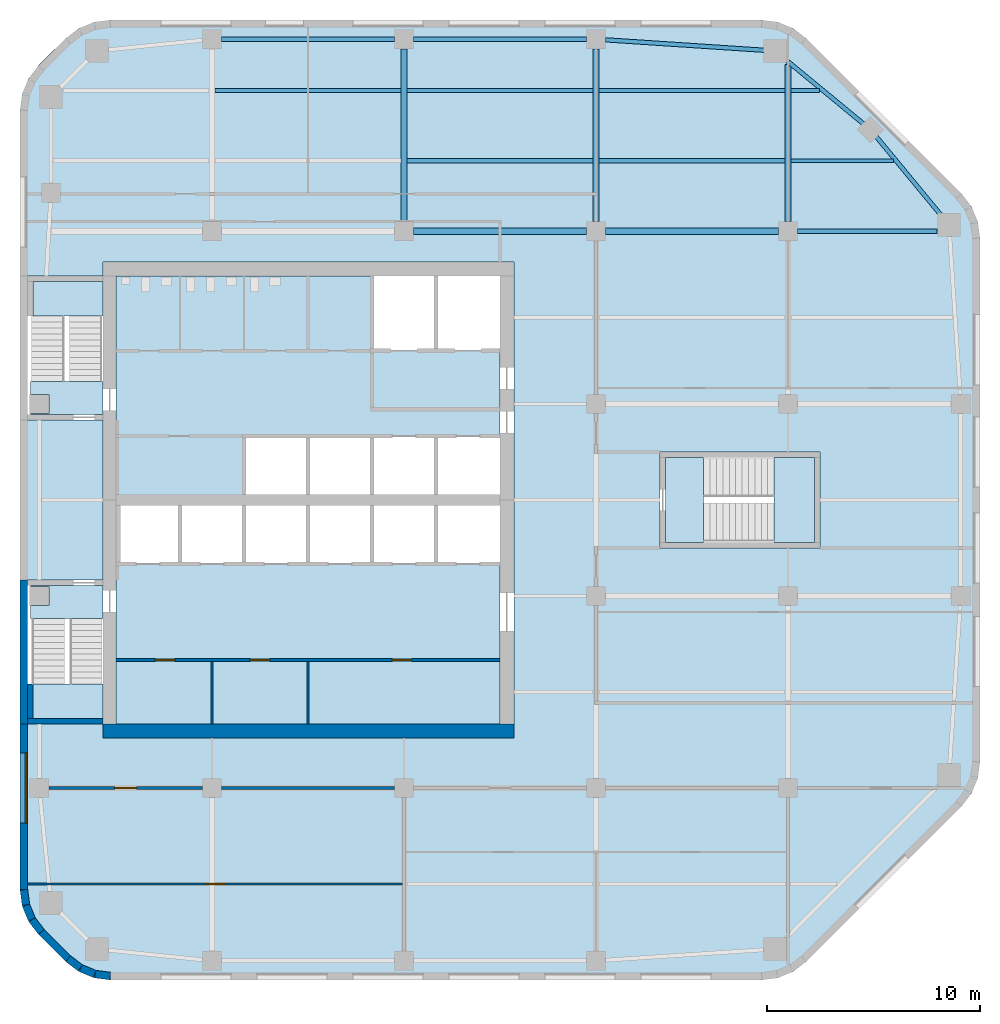
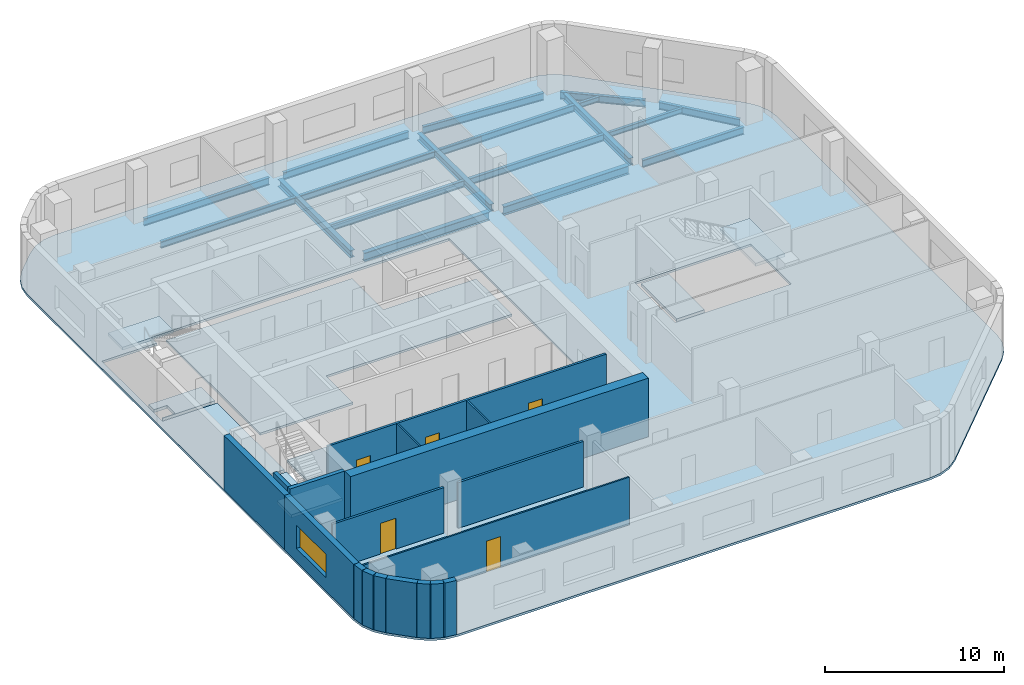
# One storey, part 2 of 8: 18 beams, 18 walls, 9 slabs, 5 doors, 1 window, 6 openings, 3 elements without a shape of their own.
"""IFC4 building model written with IfcOpenShell, lengths in metres."""

import ifcopenshell
import ifcopenshell.guid

model = None  # the IFC model being written
_history = None  # IfcOwnerHistory: only IFC2X3 demands one
_inside = {}  # id of a spatial element -> (the spatial element, [elements in it])
_under = {}  # id of a project, library or spatial element -> (it, [spatial elements below it])
_declared = {}  # id of a project -> (the project, [libraries it declares])
_typed = {}  # id of a type object -> (the type object, [elements of that type])
_made_of = {}  # id of a material, layer set ... -> (it, [elements and type objects made of it])


def new_model(schema):
    """Start an empty IFC model of exactly this schema.

    Asked for "IFC4X3", IfcOpenShell would pick the latest addendum, in which some entities
    have other attributes; the version numbers below select the first issue.
    IFC2X3 requires an IfcOwnerHistory on every rooted entity: one is made here for all.
    """
    global model, _history
    if schema == "IFC4X3":
        model = ifcopenshell.file(schema_version=(4, 3, 0, 0))
    else:
        model = ifcopenshell.file(schema=schema)
    _inside.clear()
    _under.clear()
    _declared.clear()
    _typed.clear()
    _made_of.clear()
    _history = None
    if model.schema == "IFC2X3":
        org = make("IfcOrganization", Name="unknown")
        user = make(
            "IfcPersonAndOrganization",
            ThePerson=make("IfcPerson", FamilyName="unknown"),
            TheOrganization=org,
        )
        app = make(
            "IfcApplication",
            ApplicationDeveloper=org,
            Version="unknown",
            ApplicationFullName="unknown",
            ApplicationIdentifier="unknown",
        )
        _history = make(
            "IfcOwnerHistory",
            OwningUser=user,
            OwningApplication=app,
            ChangeAction="ADDED",
            CreationDate=0,
        )
    return model


def make(cls, **values):
    """One entity of the class cls with the attributes given. An attribute that is None is left unset."""
    return model.create_entity(
        cls, **{name: value for name, value in values.items() if value is not None}
    )


def rooted(cls, **values):
    """An entity with a GlobalId (a new one), such as an element, a storey or a relation."""
    return make(cls, GlobalId=ifcopenshell.guid.new(), OwnerHistory=_history, **values)


def si_unit(unit_type, name, prefix=None):
    """IfcSIUnit, for example si_unit("LENGTHUNIT", "METRE", prefix="MILLI")."""
    return make("IfcSIUnit", UnitType=unit_type, Prefix=prefix, Name=name)


def assignment(units):
    """IfcUnitAssignment: the units of a project."""
    return None if units is None else make("IfcUnitAssignment", Units=units)


def point(xyz):
    """IfcCartesianPoint."""
    return None if xyz is None else make("IfcCartesianPoint", Coordinates=xyz)


def direction(xyz):
    """IfcDirection."""
    return None if xyz is None else make("IfcDirection", DirectionRatios=xyz)


def frame(location, z_axis=None, x_axis=None):
    """IfcAxis2Placement3D, a coordinate frame: its origin and axes. An axis left out is left unset."""
    return make(
        "IfcAxis2Placement3D",
        Location=point(location),
        Axis=direction(z_axis),
        RefDirection=direction(x_axis),
    )


def frame_2d(location, x_axis=None):
    """IfcAxis2Placement2D, a coordinate frame in the plane: its origin and x axis."""
    return make(
        "IfcAxis2Placement2D", Location=point(location), RefDirection=direction(x_axis)
    )


def origin():
    """The frame at (0, 0, 0) with its axes left unset."""
    return frame((0.0, 0.0, 0.0))


def origin_2d():
    """The frame at (0, 0) in the plane with its x axis left unset."""
    return frame_2d((0.0, 0.0))


def place(relative_to, where):
    """IfcLocalPlacement: puts the frame where relative to a parent placement (None: the world)."""
    return make(
        "IfcLocalPlacement", PlacementRelTo=relative_to, RelativePlacement=where
    )


def context(
    kind, dimensions, precision=None, world=None, true_north=None, identifier=None
):
    """IfcGeometricRepresentationContext, for example the 3D "Model" context."""
    return make(
        "IfcGeometricRepresentationContext",
        ContextIdentifier=identifier,
        ContextType=kind,
        CoordinateSpaceDimension=dimensions,
        Precision=precision,
        WorldCoordinateSystem=world,
        TrueNorth=true_north,
    )


def subcontext(parent, identifier, kind, view, scale=None):
    """IfcGeometricRepresentationSubContext, for example "Body" below "Model"."""
    return make(
        "IfcGeometricRepresentationSubContext",
        ContextIdentifier=identifier,
        ContextType=kind,
        ParentContext=parent,
        TargetScale=scale,
        TargetView=view,
    )


def project(units=None, contexts=None):
    """IfcProject with its units and contexts."""
    return rooted(
        "IfcProject",
        Name="project",
        RepresentationContexts=contexts,
        UnitsInContext=assignment(units),
    )


def spatial(cls, under=None, at=None, **own):
    """A site, building, storey or space (cls), placed at a placement, below another one or the project."""
    s = rooted(cls, ObjectPlacement=at, **own)
    if under is not None:
        _under.setdefault(under.id(), (under, []))[1].append(s)
    return s


def polyline(points):
    """IfcPolyline through the points."""
    return make("IfcPolyline", Points=[point(p) for p in points])


def profile(cls, at=None, kind="AREA", **sizes):
    """A parametric profile (cls). Its sizes go by their IFC names, for example OverallWidth=200.0."""
    return make(cls, ProfileType=kind, Position=at, **sizes)


def rectangle(**sizes):
    """IfcRectangleProfileDef."""
    return profile("IfcRectangleProfileDef", **sizes)


def i_section(**sizes):
    """IfcIShapeProfileDef."""
    return profile("IfcIShapeProfileDef", **sizes)


def outline(outer, holes=None, kind="AREA"):
    """IfcArbitraryClosedProfileDef: a profile drawn as a closed curve; with holes, ...WithVoids."""
    if holes is None:
        return make("IfcArbitraryClosedProfileDef", ProfileType=kind, OuterCurve=outer)
    return make(
        "IfcArbitraryProfileDefWithVoids",
        ProfileType=kind,
        OuterCurve=outer,
        InnerCurves=holes,
    )


def extrude(swept, where, along, depth):
    """IfcExtrudedAreaSolid: the profile swept, set in the frame where, extruded along a direction by depth."""
    return make(
        "IfcExtrudedAreaSolid",
        SweptArea=swept,
        Position=where,
        ExtrudedDirection=direction(along),
        Depth=depth,
    )


def shape(context_of_items, identifier, shape_type, items):
    """IfcShapeRepresentation: the items that make up one representation, for example the "Body"."""
    return make(
        "IfcShapeRepresentation",
        ContextOfItems=context_of_items,
        RepresentationIdentifier=identifier,
        RepresentationType=shape_type,
        Items=items,
    )


def material(Name=None, Category=None):
    """IfcMaterial."""
    return make("IfcMaterial", Name=Name, Category=Category)


def layer(
    of_material, thickness, ventilated=None, Name=None, Category=None, Priority=None
):
    """IfcMaterialLayer: one layer of a wall or slab, of a material (None: an air gap)."""
    return make(
        "IfcMaterialLayer",
        Material=of_material,
        LayerThickness=thickness,
        IsVentilated=ventilated,
        Name=Name,
        Category=Category,
        Priority=Priority,
    )


def layer_set(layers, Name=None):
    """IfcMaterialLayerSet."""
    return make("IfcMaterialLayerSet", MaterialLayers=layers, LayerSetName=Name)


def material_profile(
    of_material, cross_section, Name=None, Category=None, Priority=None
):
    """IfcMaterialProfile: a cross section and its material."""
    return make(
        "IfcMaterialProfile",
        Name=Name,
        Material=of_material,
        Profile=cross_section,
        Priority=Priority,
        Category=Category,
    )


def profile_set(profiles, Name=None, composite=None):
    """IfcMaterialProfileSet."""
    return make(
        "IfcMaterialProfileSet",
        Name=Name,
        MaterialProfiles=profiles,
        CompositeProfile=composite,
    )


def made_of(thing, what):
    """Note that an element or type object is made of a material, layer set ...; save() writes the relation."""
    if what is not None:
        _made_of.setdefault(what.id(), (what, []))[1].append(thing)
    return thing


def type_object(cls, material=None, **own):
    """A type object (cls), such as IfcWallType, which elements share."""
    return made_of(rooted(cls, **own), material)


def element(
    cls,
    number,
    at=None,
    inside=None,
    cuts=None,
    type_object=None,
    material=None,
    context=None,
    identifier="Body",
    shape_type=None,
    held_by="IfcProductDefinitionShape",
    body=None,
    shapes=None,
    **own,
):
    """One element of the class cls, such as IfcWall. Its Tag is "e" and its number.

    at: its placement. inside: the storey or other place that contains it. cuts: it is an
    opening in that element (IfcRelVoidsElement). A single representation is given by context,
    identifier, shape_type and body (its items); several are given by shapes. held_by: the class
    of the entity that holds the representations. save() writes the other relations.
    """
    e = rooted(cls, Tag="e%d" % number, ObjectPlacement=at, **own)
    if body is not None:
        shapes = [shape(context, identifier, shape_type, body)]
    if shapes is not None:
        e.Representation = make(held_by, Representations=shapes)
    if inside is not None:
        _inside.setdefault(inside.id(), (inside, []))[1].append(e)
    if cuts is not None:
        rooted(
            "IfcRelVoidsElement", RelatingBuildingElement=cuts, RelatedOpeningElement=e
        )
    if type_object is not None:
        _typed.setdefault(type_object.id(), (type_object, []))[1].append(e)
    return made_of(e, material)


def fill(opening, filler):
    """IfcRelFillsElement: the door or window that sits in an opening."""
    return rooted(
        "IfcRelFillsElement",
        RelatingOpeningElement=opening,
        RelatedBuildingElement=filler,
    )


def aggregate(whole, parts):
    """IfcRelAggregates: a whole, such as a stair, and the parts it consists of."""
    return rooted("IfcRelAggregates", RelatingObject=whole, RelatedObjects=parts)


def save(model, path):
    """Write the relations noted so far, then the file.

    IfcRelAggregates (storeys below a building ...), IfcRelContainedInSpatialStructure (elements
    in a storey), IfcRelDefinesByType, IfcRelAssociatesMaterial and IfcRelDeclares: one each for
    every whole, place, type object, material and project.
    """
    for whole, parts in _under.values():
        aggregate(whole, parts)
    for where, things in _inside.values():
        rooted(
            "IfcRelContainedInSpatialStructure",
            RelatedElements=things,
            RelatingStructure=where,
        )
    for kind, things in _typed.values():
        rooted("IfcRelDefinesByType", RelatedObjects=things, RelatingType=kind)
    for what, things in _made_of.values():
        rooted("IfcRelAssociatesMaterial", RelatedObjects=things, RelatingMaterial=what)
    for by, libraries in _declared.values():
        rooted("IfcRelDeclares", RelatingContext=by, RelatedDefinitions=libraries)
    model.write(path)


model = new_model("IFC4")

# Units and contexts
model_context = context("Model", 3, precision=1e-05, world=origin(), true_north=direction((0.0, 1.0)))
body_context = subcontext(model_context, "Body", "Model", "MODEL_VIEW")
ifc_project = project(units=[si_unit("LENGTHUNIT", "METRE"), si_unit("AREAUNIT", "SQUARE_METRE"), si_unit("VOLUMEUNIT", "CUBIC_METRE"), si_unit("PLANEANGLEUNIT", "RADIAN"), si_unit("MASSUNIT", "GRAM", prefix="KILO")], contexts=[model_context])

# Site, building, storey
site_placement = place(None, origin())
site = spatial("IfcSite", under=ifc_project, at=site_placement, CompositionType="ELEMENT")
building_placement = place(site_placement, origin())
building = spatial("IfcBuilding", under=site, at=building_placement, Name="Cinnabar Reach Civic Tower", CompositionType="ELEMENT")
storey_placement = place(building_placement, frame((0.0, 0.0, 189.0)))
storey = spatial("IfcBuildingStorey", under=building, at=storey_placement, Name="L45", CompositionType="ELEMENT", Elevation=189.0)

# Beams
ifc_material_1 = material(Name="Steel Q355B", Category="steel")
ifc_material_profile_1 = material_profile(ifc_material_1, i_section(OverallWidth=0.3, OverallDepth=0.488, WebThickness=0.011, FlangeThickness=0.018, FilletRadius=0.016, at=origin_2d()), Name="HM488x300x11x18")
ifc_profile_set_1 = profile_set([ifc_material_profile_1], Name="Steel Q355B")
beam_type_1 = type_object("IfcBeamType", Name="HM488x300x11x18 beam R 180", PredefinedType="BEAM", material=ifc_profile_set_1)
for number, where, z_axis, x_axis, name in (
    (1, (18.0, 44.552, -0.394), (0.0, 1.0, 0.0), (-1.0, 0.0, 0.0), "Girder T1 L45 6"),
    (2, (27.0, 44.552, -0.394), (0.0, 1.0, 0.0), (-1.0, 0.0, 0.0), "Girder T1 L45 11"),
):
    element("IfcBeam", number, at=place(storey_placement, frame(where, z_axis=z_axis, x_axis=x_axis)), inside=storey, type_object=beam_type_1, Name=name, PredefinedType="BEAM", context=body_context, shape_type="SweptSolid", body=[
        extrude(i_section(OverallWidth=0.3, OverallDepth=0.488, WebThickness=0.011, FlangeThickness=0.018, FilletRadius=0.016, at=origin_2d()), origin(), (0.0, 0.0, 1.0), 8.096),
    ])
beam_1_placement = place(storey_placement, frame((36.0, 44.552, -0.394), z_axis=(0.0, 1.0, 0.0), x_axis=(-1.0, 0.0, 0.0)))
element("IfcBeam", 3, at=beam_1_placement, inside=storey, type_object=beam_type_1, Name="Girder T1 L45 17", PredefinedType="BEAM", context=body_context, shape_type="SweptSolid", body=[
    extrude(i_section(OverallWidth=0.3, OverallDepth=0.488, WebThickness=0.011, FlangeThickness=0.018, FilletRadius=0.016, at=origin_2d()), origin(), (0.0, 0.0, 1.0), 7.3662),
])
ifc_material_profile_2 = material_profile(ifc_material_1, i_section(OverallWidth=0.3, OverallDepth=0.588, WebThickness=0.012, FlangeThickness=0.02, FilletRadius=0.016, at=origin_2d()), Name="HM588x300x12x20")
ifc_profile_set_2 = profile_set([ifc_material_profile_2], Name="Steel Q355B")
beam_type_2 = type_object("IfcBeamType", Name="HM588x300x12x20 beam R 180", PredefinedType="BEAM", material=ifc_profile_set_2)
for number, where, z_axis, x_axis, name in (
    (4, (18.452, 44.1, -0.444), (1.0, 0.0, 0.0), (0.0, 1.0, 0.0), "Girder T1 L45 14"),
    (5, (27.452, 44.1, -0.444), (1.0, 0.0, 0.0), (0.0, 1.0, 0.0), "Girder T1 L45 15"),
):
    element("IfcBeam", number, at=place(storey_placement, frame(where, z_axis=z_axis, x_axis=x_axis)), inside=storey, type_object=beam_type_2, Name=name, PredefinedType="BEAM", context=body_context, shape_type="SweptSolid", body=[
        extrude(i_section(OverallWidth=0.3, OverallDepth=0.588, WebThickness=0.012, FlangeThickness=0.02, FilletRadius=0.016, at=origin_2d()), origin(), (0.0, 0.0, 1.0), 8.096),
    ])
ifc_material_profile_3 = material_profile(ifc_material_1, i_section(OverallWidth=0.175, OverallDepth=0.35, WebThickness=0.007, FlangeThickness=0.011, FilletRadius=0.013, at=origin_2d()), Name="HN350x175x7x11")
ifc_profile_set_3 = profile_set([ifc_material_profile_3], Name="Steel Q355B")
beam_type_3 = type_object("IfcBeamType", Name="HN350x175x7x11 beam R 180", PredefinedType="BEAM", material=ifc_profile_set_3)
beam_2_placement = place(storey_placement, frame((36.152, 47.4, -0.325), z_axis=(1.0, 0.0, 0.0), x_axis=(0.0, 1.0, 0.0)))
element("IfcBeam", 6, at=beam_2_placement, inside=storey, type_object=beam_type_3, Name="Secondary beam T1 L45 20", PredefinedType="BEAM", context=body_context, shape_type="SweptSolid", body=[
    extrude(i_section(OverallWidth=0.175, OverallDepth=0.35, WebThickness=0.007, FlangeThickness=0.011, FilletRadius=0.013, at=origin_2d()), origin(), (0.0, 0.0, 1.0), 4.7866),
])
beam_3_placement = place(storey_placement, frame((36.152, 50.7, -0.325), z_axis=(1.0, 0.0, 0.0), x_axis=(0.0, 1.0, 0.0)))
element("IfcBeam", 7, at=beam_3_placement, inside=storey, type_object=beam_type_3, Name="Secondary beam T1 L45 25", PredefinedType="BEAM", context=body_context, shape_type="SweptSolid", body=[
    extrude(i_section(OverallWidth=0.175, OverallDepth=0.35, WebThickness=0.007, FlangeThickness=0.011, FilletRadius=0.013, at=origin_2d()), origin(), (0.0, 0.0, 1.0), 1.3249),
])
ifc_material_profile_4 = material_profile(ifc_material_1, i_section(OverallWidth=0.2, OverallDepth=0.45, WebThickness=0.009, FlangeThickness=0.014, FilletRadius=0.016, at=origin_2d()), Name="HN450x200x9x14")
ifc_profile_set_4 = profile_set([ifc_material_profile_4], Name="Steel Q355B")
beam_type_4 = type_object("IfcBeamType", Name="HN450x200x9x14 beam R 180", PredefinedType="BEAM", material=ifc_profile_set_4)
for number, where, z_axis, x_axis, name in (
    (8, (18.152, 47.4, -0.375), (1.0, 0.0, 0.0), (0.0, 1.0, 0.0), "Secondary beam T1 L45 18"),
    (9, (27.152, 47.4, -0.375), (1.0, 0.0, 0.0), (0.0, 1.0, 0.0), "Secondary beam T1 L45 19"),
    (10, (9.152, 50.7, -0.375), (1.0, 0.0, 0.0), (0.0, 1.0, 0.0), "Secondary beam T1 L45 22"),
    (11, (18.152, 50.7, -0.375), (1.0, 0.0, 0.0), (0.0, 1.0, 0.0), "Secondary beam T1 L45 23"),
    (12, (27.152, 50.7, -0.375), (1.0, 0.0, 0.0), (0.0, 1.0, 0.0), "Secondary beam T1 L45 24"),
):
    element("IfcBeam", number, at=place(storey_placement, frame(where, z_axis=z_axis, x_axis=x_axis)), inside=storey, type_object=beam_type_4, Name=name, PredefinedType="BEAM", context=body_context, shape_type="SweptSolid", body=[
        extrude(i_section(OverallWidth=0.2, OverallDepth=0.45, WebThickness=0.009, FlangeThickness=0.014, FilletRadius=0.016, at=origin_2d()), origin(), (0.0, 0.0, 1.0), 8.696),
    ])
ifc_material_profile_5 = material_profile(ifc_material_1, i_section(OverallWidth=0.2, OverallDepth=0.5, WebThickness=0.01, FlangeThickness=0.016, FilletRadius=0.016, at=origin_2d()), Name="HN500x200x10x16")
ifc_profile_set_5 = profile_set([ifc_material_profile_5], Name="Steel Q355B")
beam_type_5 = type_object("IfcBeamType", Name="HN500x200x10x16 beam R 180", PredefinedType="BEAM", material=ifc_profile_set_5)
for number, where, z_axis, x_axis, name in (
    (13, (43.1906, 44.8301, -0.4), (-0.63630880182, 0.771434448755, 0.0), (-0.771434448755, -0.63630880182, 0.0), "Edge beam T1 L45 9"),
    (14, (39.5598, 49.1142, -0.4), (-0.771434448755, 0.63630880182, 0.0), (-0.63630880182, -0.771434448755, 0.0), "Edge beam T1 L45 10"),
):
    element("IfcBeam", number, at=place(storey_placement, frame(where, z_axis=z_axis, x_axis=x_axis)), inside=storey, type_object=beam_type_5, Name=name, PredefinedType="BEAM", context=body_context, shape_type="SweptSolid", body=[
        extrude(i_section(OverallWidth=0.2, OverallDepth=0.5, WebThickness=0.01, FlangeThickness=0.016, FilletRadius=0.016, at=origin_2d()), origin(), (0.0, 0.0, 1.0), 4.8348),
    ])
beam_4_placement = place(storey_placement, frame((34.9661, 52.5754, -0.4), z_axis=(-0.99783894477, 0.065707231721, 0.0), x_axis=(-0.065707231721, -0.99783894477, 0.0)))
element("IfcBeam", 15, at=beam_4_placement, inside=storey, type_object=beam_type_5, Name="Edge beam T1 L45 11", PredefinedType="BEAM", context=body_context, shape_type="SweptSolid", body=[
    extrude(i_section(OverallWidth=0.2, OverallDepth=0.5, WebThickness=0.01, FlangeThickness=0.016, FilletRadius=0.016, at=origin_2d()), origin(), (0.0, 0.0, 1.0), 7.5304),
])
for number, where, z_axis, x_axis, name in (
    (16, (26.548, 53.1, -0.4), (-1.0, 0.0, 0.0), (0.0, -1.0, 0.0), "Edge beam T1 L45 12"),
    (17, (17.548, 53.1, -0.4), (-1.0, 0.0, 0.0), (0.0, -1.0, 0.0), "Edge beam T1 L45 13"),
):
    element("IfcBeam", number, at=place(storey_placement, frame(where, z_axis=z_axis, x_axis=x_axis)), inside=storey, type_object=beam_type_5, Name=name, PredefinedType="BEAM", context=body_context, shape_type="SweptSolid", body=[
        extrude(i_section(OverallWidth=0.2, OverallDepth=0.5, WebThickness=0.01, FlangeThickness=0.016, FilletRadius=0.016, at=origin_2d()), origin(), (0.0, 0.0, 1.0), 8.096),
    ])
beam_5_placement = place(storey_placement, frame((36.452, 44.1, -0.4), z_axis=(1.0, 0.0, 0.0), x_axis=(0.0, 1.0, 0.0)))
element("IfcBeam", 18, at=beam_5_placement, inside=storey, type_object=beam_type_5, Name="Girder T1 L45 16", PredefinedType="BEAM", context=body_context, shape_type="SweptSolid", body=[
    extrude(i_section(OverallWidth=0.2, OverallDepth=0.5, WebThickness=0.01, FlangeThickness=0.016, FilletRadius=0.016, at=origin_2d()), origin(), (0.0, 0.0, 1.0), 6.5429),
])

# Slab
ifc_material_2 = material(Name="Concrete C40", Category="concrete")
ifc_layer_1 = layer(ifc_material_2, 0.15)
ifc_layer_set_1 = layer_set([ifc_layer_1], Name="Composite floor slab 150 REI 150")
slab_type_1 = type_object("IfcSlabType", Name="Composite floor slab 150 REI 150", PredefinedType="FLOOR", material=ifc_layer_set_1)
slab_1_placement = place(storey_placement, frame((0.0, 0.0, -0.15)))
element("IfcSlab", 19, at=slab_1_placement, inside=storey, type_object=slab_type_1, Name="Composite floor slab 150 T1 L45", PredefinedType="FLOOR", context=body_context, shape_type="SweptSolid", body=[
    extrude(outline(polyline([(0.8787, 11.1213), (0.4019, 11.7426), (0.1022, 12.4662), (0.0, 13.2426), (0.0, 49.7574), (0.1022, 50.5338), (0.4019, 51.2574), (0.8787, 51.8787), (2.1213, 53.1213), (2.7426, 53.5981), (3.4662, 53.8978), (4.2426, 54.0), (34.7574, 54.0), (35.5338, 53.8978), (36.2574, 53.5981), (36.8787, 53.1213), (44.1213, 45.8787), (44.5981, 45.2574), (44.8978, 44.5338), (45.0, 43.7574), (45.0, 19.2426), (44.8978, 18.4662), (44.5981, 17.7426), (44.1213, 17.1213), (36.8787, 9.8787), (36.2574, 9.4019), (35.5338, 9.1022), (34.7574, 9.0), (4.2426, 9.0), (3.4662, 9.1022), (2.7426, 9.4019), (2.1213, 9.8787), (0.8787, 11.1213)]), holes=[polyline([(0.36, 21.0), (3.9, 21.0), (3.9, 20.35), (23.15, 20.35), (23.15, 42.65), (3.9, 42.65), (3.9, 42.0), (0.36, 42.0), (0.36, 35.25), (3.9, 35.25), (3.9, 27.75), (0.36, 27.75), (0.36, 21.0)]), polyline([(30.0, 33.75), (30.0, 29.25), (37.5, 29.25), (37.5, 33.75), (30.0, 33.75)])]), origin(), (0.0, 0.0, 1.0), 0.15),
])

# Stair, slabs
ifc_material_3 = material(Name="Concrete C40/50", Category="concrete")
stair_type = type_object("IfcStairType", Name="T1 Exit stair, half-turn", PredefinedType="HALF_TURN_STAIR", material=ifc_material_3)
stair_1_placement = place(storey_placement, origin())
stair_1 = element("IfcStair", 20, at=stair_1_placement, inside=storey, type_object=stair_type, Name="Stair T1-S1", PredefinedType="HALF_TURN_STAIR")
ifc_layer_2 = layer(ifc_material_3, 0.2)
ifc_layer_set_2 = layer_set([ifc_layer_2], Name="T1 Stair landing 200, Concrete C40/50")
slab_type_2 = type_object("IfcSlabType", Name="T1 Stair landing 200, Concrete C40/50", PredefinedType="LANDING", material=ifc_layer_set_2)
slab_2_placement = place(storey_placement, frame((0.0, 0.0, -0.2)))
slab_2 = element("IfcSlab", 21, at=slab_2_placement, type_object=slab_type_2, Name="T1-S1 landing 1", PredefinedType="LANDING", context=body_context, shape_type="SweptSolid", body=[
    extrude(outline(polyline([(0.5, 27.5), (3.9, 27.5), (3.9, 25.95), (0.5, 25.95), (0.5, 26.55), (1.35, 26.55), (1.35, 27.45), (0.5, 27.45), (0.5, 27.5)])), origin(), (0.0, 0.0, 1.0), 0.2),
])
slab_3_placement = place(storey_placement, frame((0.0, 0.0, 1.8)))
slab_3 = element("IfcSlab", 22, at=slab_3_placement, type_object=slab_type_2, Name="T1-S1 landing 2", PredefinedType="LANDING", context=body_context, shape_type="SweptSolid", body=[
    extrude(outline(polyline([(0.6, 21.25), (0.6, 22.87), (3.9, 22.87), (3.9, 21.25), (0.6, 21.25)])), origin(), (0.0, 0.0, 1.0), 0.2),
])
aggregate(stair_1, [slab_2, slab_3])

stair_2_placement = place(storey_placement, origin())
stair_2 = element("IfcStair", 23, at=stair_2_placement, inside=storey, type_object=stair_type, Name="Stair T1-S2", PredefinedType="HALF_TURN_STAIR")
slab_4_placement = place(storey_placement, frame((0.0, 0.0, -0.2)))
slab_4 = element("IfcSlab", 24, at=slab_4_placement, type_object=slab_type_2, Name="T1-S2 landing 1", PredefinedType="LANDING", context=body_context, shape_type="SweptSolid", body=[
    extrude(outline(polyline([(0.5, 37.05), (3.9, 37.05), (3.9, 35.5), (0.5, 35.5), (0.5, 35.55), (1.35, 35.55), (1.35, 36.45), (0.5, 36.45), (0.5, 37.05)])), origin(), (0.0, 0.0, 1.0), 0.2),
])
slab_5_placement = place(storey_placement, frame((0.0, 0.0, 1.8)))
slab_5 = element("IfcSlab", 25, at=slab_5_placement, type_object=slab_type_2, Name="T1-S2 landing 2", PredefinedType="LANDING", context=body_context, shape_type="SweptSolid", body=[
    extrude(outline(polyline([(0.6, 40.13), (0.6, 41.75), (3.9, 41.75), (3.9, 40.13), (0.6, 40.13)])), origin(), (0.0, 0.0, 1.0), 0.2),
])
aggregate(stair_2, [slab_4, slab_5])

stair_3_placement = place(storey_placement, origin())
stair_3 = element("IfcStair", 26, at=stair_3_placement, inside=storey, type_object=stair_type, Name="Stair T1-S3", PredefinedType="HALF_TURN_STAIR")
slab_6_placement = place(storey_placement, frame((0.0, 0.0, -0.2)))
slab_6 = element("IfcSlab", 27, at=slab_6_placement, type_object=slab_type_2, Name="T1-S3 landing 1", PredefinedType="LANDING", context=body_context, shape_type="SweptSolid", body=[
    extrude(outline(polyline([(30.25, 29.5), (32.05, 29.5), (32.05, 33.5), (30.25, 33.5), (30.25, 29.5)])), origin(), (0.0, 0.0, 1.0), 0.2),
])
slab_7_placement = place(storey_placement, frame((0.0, 0.0, 1.8)))
slab_7 = element("IfcSlab", 28, at=slab_7_placement, type_object=slab_type_2, Name="T1-S3 landing 2", PredefinedType="LANDING", context=body_context, shape_type="SweptSolid", body=[
    extrude(outline(polyline([(35.35, 29.5), (37.25, 29.5), (37.25, 33.5), (35.35, 33.5), (35.35, 29.5)])), origin(), (0.0, 0.0, 1.0), 0.2),
])
aggregate(stair_3, [slab_6, slab_7])

# Slabs
ifc_layer_3 = layer(ifc_material_3, 0.15)
ifc_layer_set_3 = layer_set([ifc_layer_3], Name="T1 core floor slab 150")
slab_type_3 = type_object("IfcSlabType", Name="T1 core floor slab 150", PredefinedType="FLOOR", material=ifc_layer_set_3)
slab_8_placement = place(storey_placement, frame((0.0, 0.0, -0.15)))
element("IfcSlab", 29, at=slab_8_placement, inside=storey, type_object=slab_type_3, Name="Core floor slab L45", PredefinedType="FLOOR", context=body_context, shape_type="SweptSolid", body=[
    extrude(outline(polyline([(22.5, 21.0), (4.5, 21.0), (4.5, 28.5), (7.5, 28.5), (10.5, 28.5), (13.5, 28.5), (16.5, 28.5), (19.5, 28.5), (22.5, 28.5), (22.5, 21.0)])), origin(), (0.0, 0.0, 1.0), 0.15),
])
slab_9_placement = place(storey_placement, frame((0.0, 0.0, -0.15)))
element("IfcSlab", 30, at=slab_9_placement, inside=storey, type_object=slab_type_3, Name="Core floor slab L45", PredefinedType="FLOOR", context=body_context, shape_type="SweptSolid", body=[
    extrude(outline(polyline([(22.5, 34.5), (19.5, 34.5), (16.5, 34.5), (13.5, 34.5), (10.5, 34.5), (10.5, 31.5), (7.5, 31.5), (4.5, 31.5), (4.5, 42.0), (16.5, 42.0), (16.5, 38.5), (19.5, 38.5), (22.5, 38.5), (22.5, 34.5)])), origin(), (0.0, 0.0, 1.0), 0.15),
])

# Walls
ifc_material_4 = material(Name="Facing brick with insulated backing", Category="masonry")
ifc_layer_4 = layer(ifc_material_4, 0.36)
ifc_layer_set_4 = layer_set([ifc_layer_4], Name="Brick corner wall")
wall_type_1 = type_object("IfcWallType", Name="Brick corner wall", PredefinedType="STANDARD", material=ifc_layer_set_4)
for number, where, z_axis, x_axis, name in (
    (31, (0.183, 13.2314, 0.0), (0.0, 0.0, 1.0), (0.13055608231, -0.99144092581, 0.0), "Brick corner wall"),
    (32, (0.2819, 12.5027, 0.0), (0.0, 0.0, 1.0), (0.382702709855, -0.923871547278, 0.0), "Brick corner wall"),
):
    element("IfcWall", number, at=place(storey_placement, frame(where, z_axis=z_axis, x_axis=x_axis)), inside=storey, type_object=wall_type_1, Name=name, PredefinedType="STANDARD", context=body_context, shape_type="SweptSolid", body=[
        extrude(rectangle(XDim=0.7131, YDim=0.36, at=frame_2d((0.3565, 0.0))), origin(), (0.0, 0.0, 1.0), 3.7),
    ])
for number, where, z_axis, x_axis, name in (
    (33, (0.566, 11.8245, 0.0), (0.0, 0.0, 1.0), (0.608802368033, -0.793321924995, 0.0), "Brick corner wall"),
    (34, (2.2587, 10.0002, 0.0), (0.0, 0.0, 1.0), (0.793321924995, -0.608802368033, 0.0), "Brick corner wall"),
):
    element("IfcWall", number, at=place(storey_placement, frame(where, z_axis=z_axis, x_axis=x_axis)), inside=storey, type_object=wall_type_1, Name=name, PredefinedType="STANDARD", context=body_context, shape_type="SweptSolid", body=[
        extrude(rectangle(XDim=0.7132, YDim=0.36, at=frame_2d((0.3566, 0.0))), origin(), (0.0, 0.0, 1.0), 3.7),
    ])
for number, where, z_axis, x_axis, name in (
    (35, (2.8439, 9.5548, 0.0), (0.0, 0.0, 1.0), (0.923871547278, -0.382702709855, 0.0), "Brick corner wall"),
    (36, (3.5244, 9.2761, 0.0), (0.0, 0.0, 1.0), (0.99144092581, -0.13055608231, 0.0), "Brick corner wall"),
):
    element("IfcWall", number, at=place(storey_placement, frame(where, z_axis=z_axis, x_axis=x_axis)), inside=storey, type_object=wall_type_1, Name=name, PredefinedType="STANDARD", context=body_context, shape_type="SweptSolid", body=[
        extrude(rectangle(XDim=0.7131, YDim=0.36, at=frame_2d((0.3565, 0.0))), origin(), (0.0, 0.0, 1.0), 3.7),
    ])
ifc_layer_5 = layer(ifc_material_4, 0.36)
ifc_layer_set_5 = layer_set([ifc_layer_5], Name="Brick pier and spandrel wall")
wall_type_2 = type_object("IfcWallType", Name="Brick pier and spandrel wall", PredefinedType="STANDARD", material=ifc_layer_set_5)
wall_1_placement = place(storey_placement, frame((0.18, 27.75, 0.0), z_axis=(0.0, 0.0, 1.0), x_axis=(0.0, -1.0, 0.0)))
element("IfcWall", 37, at=wall_1_placement, inside=storey, type_object=wall_type_2, Name="Brick facade wall", PredefinedType="STANDARD", context=body_context, shape_type="SweptSolid", body=[
    extrude(rectangle(XDim=6.75, YDim=0.36, at=frame_2d((3.375, 0.0))), origin(), (0.0, 0.0, 1.0), 3.7),
])

# Wall, opening, window
wall_2_placement = place(storey_placement, frame((0.18, 21.0, 0.0), z_axis=(0.0, 0.0, 1.0), x_axis=(0.0, -1.0, 0.0)))
wall_2 = element("IfcWall", 38, at=wall_2_placement, inside=storey, type_object=wall_type_2, Name="Brick facade wall", PredefinedType="STANDARD", context=body_context, shape_type="SweptSolid", body=[
    extrude(rectangle(XDim=7.7574, YDim=0.36, at=frame_2d((3.8787, 0.0))), origin(), (0.0, 0.0, 1.0), 3.7),
])
opening_1_placement = place(wall_2_placement, frame((1.35, 0.0, 0.9)))
opening_1 = element("IfcOpeningElement", 39, at=opening_1_placement, cuts=wall_2, Name="Opening W1940", PredefinedType="OPENING", context=body_context, shape_type="SweptSolid", body=[
    extrude(rectangle(XDim=3.3, YDim=1.6, at=frame_2d((1.65, 0.8))), frame((0.0, 0.19, 0.0), z_axis=(0.0, -1.0, 0.0), x_axis=(1.0, 0.0, 0.0)), (0.0, 0.0, 1.0), 0.38),
])
ifc_material_5 = material(Name="Clear double glazing in aluminium frame", Category="aluminium")
window_type = type_object("IfcWindowType", Name="Deep-set window A", PartitioningType="SINGLE_PANEL", PredefinedType="WINDOW", material=ifc_material_5)
window_placement = place(opening_1_placement, origin())
window = element("IfcWindow", 40, at=window_placement, inside=storey, type_object=window_type, Name="Window west face", OverallHeight=1.6, OverallWidth=3.3, PartitioningType="SINGLE_PANEL", PredefinedType="WINDOW", context=body_context, shape_type="SweptSolid", body=[
    extrude(rectangle(XDim=3.3, YDim=1.6, at=frame_2d((1.65, 0.8))), frame((0.0, 0.13, 0.0), z_axis=(0.0, -1.0, 0.0), x_axis=(1.0, 0.0, 0.0)), (0.0, 0.0, 1.0), 0.06),
])
fill(opening_1, window)

# Walls
wall_3_placement = place(storey_placement, frame((1.006, 11.2486, 0.0), z_axis=(0.0, 0.0, 1.0), x_axis=(0.707106781187, -0.707106781187, 0.0)))
element("IfcWall", 41, at=wall_3_placement, inside=storey, type_object=wall_type_2, Name="Brick facade wall", PredefinedType="STANDARD", context=body_context, shape_type="SweptSolid", body=[
    extrude(rectangle(XDim=1.7573, YDim=0.36, at=frame_2d((0.8787, 0.0))), origin(), (0.0, 0.0, 1.0), 3.7),
])
ifc_material_6 = material(Name="Concrete C70", Category="concrete")
ifc_layer_6 = layer(ifc_material_6, 0.65)
ifc_layer_set_6 = layer_set([ifc_layer_6], Name="Core wall 650 EI 180")
wall_type_3 = type_object("IfcWallType", Name="Core wall 650 EI 180", PredefinedType="SOLIDWALL", material=ifc_layer_set_6)
wall_4_placement = place(storey_placement, frame((3.9, 20.675, 0.0), z_axis=(0.0, 0.0, 1.0), x_axis=(1.0, 0.0, 0.0)))
element("IfcWall", 42, at=wall_4_placement, inside=storey, type_object=wall_type_3, Name="Core wall T1 L45 S", PredefinedType="SOLIDWALL", context=body_context, shape_type="SweptSolid", body=[
    extrude(rectangle(XDim=19.25, YDim=0.65, at=frame_2d((9.625, 0.0))), origin(), (0.0, 0.0, 1.0), 4.0),
])

# Wall, opening, door
ifc_material_7 = material(Name="Gypsum board on steel studs, double layer", Category="steel")
ifc_layer_7 = layer(ifc_material_7, 0.15)
ifc_layer_set_7 = layer_set([ifc_layer_7], Name="Corridor wall 150 T1")
wall_type_4 = type_object("IfcWallType", Name="Corridor wall 150 T1", PredefinedType="PARTITIONING", material=ifc_layer_set_7)
wall_5_placement = place(storey_placement, frame((1.35, 18.0, 0.0), z_axis=(0.0, 0.0, 1.0), x_axis=(1.0, 0.0, 0.0)))
wall_5 = element("IfcWall", 43, at=wall_5_placement, inside=storey, type_object=wall_type_4, Name="Corridor wall 18", PredefinedType="PARTITIONING", context=body_context, shape_type="SweptSolid", body=[
    extrude(rectangle(XDim=7.2, YDim=0.15, at=frame_2d((3.6, 0.0))), origin(), (0.0, 0.0, 1.0), 3.112),
])
opening_2_placement = place(wall_5_placement, frame((3.1, 0.0, 0.0)))
opening_2 = element("IfcOpeningElement", 44, at=opening_2_placement, cuts=wall_5, Name="Opening D4864", PredefinedType="OPENING", context=body_context, shape_type="SweptSolid", body=[
    extrude(rectangle(XDim=1.0, YDim=2.1, at=frame_2d((0.5, 1.05))), frame((0.0, 0.085, 0.0), z_axis=(0.0, -1.0, 0.0), x_axis=(1.0, 0.0, 0.0)), (0.0, 0.0, 1.0), 0.17),
])
ifc_material_8 = material(Name="Timber door leaf in steel frame", Category="steel")
door_type_1 = type_object("IfcDoorType", Name="Tenancy entrance door 1000 x 2100 T1", OperationType="SINGLE_SWING_LEFT", PredefinedType="DOOR", material=ifc_material_8)
door_1_placement = place(opening_2_placement, frame((1.0, 0.0, 0.0), z_axis=(0.0, 0.0, 1.0), x_axis=(-1.0, 0.0, 0.0)))
door_1 = element("IfcDoor", 45, at=door_1_placement, inside=storey, type_object=door_type_1, Name="Door D4864", OperationType="SINGLE_SWING_RIGHT", OverallHeight=2.1, OverallWidth=1.0, PredefinedType="DOOR", context=body_context, shape_type="SweptSolid", body=[
    extrude(rectangle(XDim=1.0, YDim=2.1, at=frame_2d((0.5, 1.05))), frame((0.0, 0.025, 0.0), z_axis=(0.0, -1.0, 0.0), x_axis=(1.0, 0.0, 0.0)), (0.0, 0.0, 1.0), 0.05),
])
fill(opening_2, door_1)

# Wall
wall_6_placement = place(storey_placement, frame((9.45, 18.0, 0.0), z_axis=(0.0, 0.0, 1.0), x_axis=(1.0, 0.0, 0.0)))
element("IfcWall", 46, at=wall_6_placement, inside=storey, type_object=wall_type_4, Name="Corridor wall 19", PredefinedType="PARTITIONING", context=body_context, shape_type="SweptSolid", body=[
    extrude(rectangle(XDim=8.1, YDim=0.15, at=frame_2d((4.05, 0.0))), origin(), (0.0, 0.0, 1.0), 3.112),
])

# Wall, openings, doors
wall_7_placement = place(storey_placement, frame((4.5, 24.0, 0.0), z_axis=(0.0, 0.0, 1.0), x_axis=(1.0, 0.0, 0.0)))
wall_7 = element("IfcWall", 47, at=wall_7_placement, inside=storey, type_object=wall_type_4, Name="Corridor wall 26", PredefinedType="PARTITIONING", context=body_context, shape_type="SweptSolid", body=[
    extrude(rectangle(XDim=18.0, YDim=0.15, at=frame_2d((9.0, 0.0))), origin(), (0.0, 0.0, 1.0), 3.7),
])
opening_3_placement = place(wall_7_placement, frame((1.85, 0.0, 0.0)))
opening_3 = element("IfcOpeningElement", 48, at=opening_3_placement, cuts=wall_7, Name="Opening D4851", PredefinedType="OPENING", context=body_context, shape_type="SweptSolid", body=[
    extrude(rectangle(XDim=0.9, YDim=2.1, at=frame_2d((0.45, 1.05))), frame((0.0, 0.085, 0.0), z_axis=(0.0, -1.0, 0.0), x_axis=(1.0, 0.0, 0.0)), (0.0, 0.0, 1.0), 0.17),
])
opening_4_placement = place(wall_7_placement, frame((6.3, 0.0, 0.0)))
opening_4 = element("IfcOpeningElement", 49, at=opening_4_placement, cuts=wall_7, Name="Opening D4852", PredefinedType="OPENING", context=body_context, shape_type="SweptSolid", body=[
    extrude(rectangle(XDim=0.9, YDim=2.1, at=frame_2d((0.45, 1.05))), frame((0.0, 0.085, 0.0), z_axis=(0.0, -1.0, 0.0), x_axis=(1.0, 0.0, 0.0)), (0.0, 0.0, 1.0), 0.17),
])
opening_5_placement = place(wall_7_placement, frame((12.95, 0.0, 0.0)))
opening_5 = element("IfcOpeningElement", 50, at=opening_5_placement, cuts=wall_7, Name="Opening D4853", PredefinedType="OPENING", context=body_context, shape_type="SweptSolid", body=[
    extrude(rectangle(XDim=0.9, YDim=2.1, at=frame_2d((0.45, 1.05))), frame((0.0, 0.085, 0.0), z_axis=(0.0, -1.0, 0.0), x_axis=(1.0, 0.0, 0.0)), (0.0, 0.0, 1.0), 0.17),
])
door_type_2 = type_object("IfcDoorType", Name="Single swing door 900 x 2100 corridor T1", OperationType="SINGLE_SWING_LEFT", PredefinedType="DOOR", material=ifc_material_8)
door_2_placement = place(opening_3_placement, frame((0.9, 0.0, 0.0), z_axis=(0.0, 0.0, 1.0), x_axis=(-1.0, 0.0, 0.0)))
door_2 = element("IfcDoor", 51, at=door_2_placement, inside=storey, type_object=door_type_2, Name="Door D4851", OperationType="SINGLE_SWING_RIGHT", OverallHeight=2.1, OverallWidth=0.9, PredefinedType="DOOR", context=body_context, shape_type="SweptSolid", body=[
    extrude(rectangle(XDim=0.9, YDim=2.1, at=frame_2d((0.45, 1.05))), frame((0.0, 0.025, 0.0), z_axis=(0.0, -1.0, 0.0), x_axis=(1.0, 0.0, 0.0)), (0.0, 0.0, 1.0), 0.05),
])
fill(opening_3, door_2)
door_3_placement = place(opening_4_placement, frame((0.9, 0.0, 0.0), z_axis=(0.0, 0.0, 1.0), x_axis=(-1.0, 0.0, 0.0)))
door_3 = element("IfcDoor", 52, at=door_3_placement, inside=storey, type_object=door_type_2, Name="Door D4852", OperationType="SINGLE_SWING_LEFT", OverallHeight=2.1, OverallWidth=0.9, PredefinedType="DOOR", context=body_context, shape_type="SweptSolid", body=[
    extrude(rectangle(XDim=0.9, YDim=2.1, at=frame_2d((0.45, 1.05))), frame((0.0, 0.025, 0.0), z_axis=(0.0, -1.0, 0.0), x_axis=(1.0, 0.0, 0.0)), (0.0, 0.0, 1.0), 0.05),
])
fill(opening_4, door_3)
door_4_placement = place(opening_5_placement, frame((0.9, 0.0, 0.0), z_axis=(0.0, 0.0, 1.0), x_axis=(-1.0, 0.0, 0.0)))
door_4 = element("IfcDoor", 53, at=door_4_placement, inside=storey, type_object=door_type_2, Name="Door D4853", OperationType="SINGLE_SWING_RIGHT", OverallHeight=2.1, OverallWidth=0.9, PredefinedType="DOOR", context=body_context, shape_type="SweptSolid", body=[
    extrude(rectangle(XDim=0.9, YDim=2.1, at=frame_2d((0.45, 1.05))), frame((0.0, 0.025, 0.0), z_axis=(0.0, -1.0, 0.0), x_axis=(1.0, 0.0, 0.0)), (0.0, 0.0, 1.0), 0.05),
])
fill(opening_5, door_4)

# Wall, opening, door
ifc_material_9 = material(Name="Gypsum board on steel studs", Category="steel")
ifc_layer_8 = layer(ifc_material_9, 0.1)
ifc_layer_set_8 = layer_set([ifc_layer_8], Name="Partition wall 100 T1")
wall_type_5 = type_object("IfcWallType", Name="Partition wall 100 T1", PredefinedType="PARTITIONING", material=ifc_layer_set_8)
wall_8_placement = place(storey_placement, frame((0.36, 13.5, 0.0), z_axis=(0.0, 0.0, 1.0), x_axis=(1.0, 0.0, 0.0)))
wall_8 = element("IfcWall", 54, at=wall_8_placement, inside=storey, type_object=wall_type_5, Name="Partition wall 46", PredefinedType="PARTITIONING", context=body_context, shape_type="SweptSolid", body=[
    extrude(rectangle(XDim=17.565, YDim=0.1, at=frame_2d((8.7825, 0.0))), origin(), (0.0, 0.0, 1.0), 3.25),
])
opening_6_placement = place(wall_8_placement, frame((8.35, 0.0, 0.0)))
opening_6 = element("IfcOpeningElement", 55, at=opening_6_placement, cuts=wall_8, Name="Opening D4865", PredefinedType="OPENING", context=body_context, shape_type="SweptSolid", body=[
    extrude(rectangle(XDim=0.9, YDim=2.1, at=frame_2d((0.45, 1.05))), frame((0.0, 0.06, 0.0), z_axis=(0.0, -1.0, 0.0), x_axis=(1.0, 0.0, 0.0)), (0.0, 0.0, 1.0), 0.12),
])
door_type_3 = type_object("IfcDoorType", Name="Single swing door 900 x 2100 T1", OperationType="SINGLE_SWING_LEFT", PredefinedType="DOOR", material=ifc_material_8)
door_5_placement = place(opening_6_placement, frame((0.9, 0.0, 0.0), z_axis=(0.0, 0.0, 1.0), x_axis=(-1.0, 0.0, 0.0)))
door_5 = element("IfcDoor", 56, at=door_5_placement, inside=storey, type_object=door_type_3, Name="Door D4865", OperationType="SINGLE_SWING_LEFT", OverallHeight=2.1, OverallWidth=0.9, PredefinedType="DOOR", context=body_context, shape_type="SweptSolid", body=[
    extrude(rectangle(XDim=0.9, YDim=2.1, at=frame_2d((0.45, 1.05))), frame((0.0, 0.025, 0.0), z_axis=(0.0, -1.0, 0.0), x_axis=(1.0, 0.0, 0.0)), (0.0, 0.0, 1.0), 0.05),
])
fill(opening_6, door_5)

# Walls
for number, where, z_axis, x_axis, name in (
    (57, (9.0, 21.0, 0.0), (0.0, 0.0, 1.0), (0.0, 1.0, 0.0), "Partition wall 56"),
    (58, (13.5, 21.0, 0.0), (0.0, 0.0, 1.0), (0.0, 1.0, 0.0), "Partition wall 57"),
):
    element("IfcWall", number, at=place(storey_placement, frame(where, z_axis=z_axis, x_axis=x_axis)), inside=storey, type_object=wall_type_5, Name=name, PredefinedType="PARTITIONING", context=body_context, shape_type="SweptSolid", body=[
        extrude(rectangle(XDim=2.925, YDim=0.1, at=frame_2d((1.4625, 0.0))), origin(), (0.0, 0.0, 1.0), 3.7),
    ])
ifc_material_10 = material(Name="Concrete C60", Category="concrete")
ifc_layer_9 = layer(ifc_material_10, 0.25)
ifc_layer_set_9 = layer_set([ifc_layer_9], Name="Stair shaft wall 250 EI 120")
wall_type_6 = type_object("IfcWallType", Name="Stair shaft wall 250 EI 120", PredefinedType="SOLIDWALL", material=ifc_layer_set_9)
wall_9_placement = place(storey_placement, frame((0.36, 21.125, 0.0), z_axis=(0.0, 0.0, 1.0), x_axis=(1.0, 0.0, 0.0)))
element("IfcWall", 59, at=wall_9_placement, inside=storey, type_object=wall_type_6, Name="Stair shaft wall T1-S1 L45", PredefinedType="SOLIDWALL", context=body_context, shape_type="SweptSolid", body=[
    extrude(rectangle(XDim=3.54, YDim=0.25, at=frame_2d((1.77, 0.0))), origin(), (0.0, 0.0, 1.0), 4.0),
])
ifc_layer_10 = layer(ifc_material_3, 0.24)
ifc_layer_set_10 = layer_set([ifc_layer_10], Name="T1 landing bearer wall 240")
wall_type_7 = type_object("IfcWallType", Name="T1 landing bearer wall 240", PredefinedType="STANDARD", material=ifc_layer_set_10)
wall_10_placement = place(storey_placement, frame((0.48, 21.25, 0.0), z_axis=(0.0, 0.0, 1.0), x_axis=(0.0, 1.0, 0.0)))
element("IfcWall", 60, at=wall_10_placement, inside=storey, type_object=wall_type_7, Name="T1-S1 landing bearer wall", PredefinedType="STANDARD", context=body_context, shape_type="SweptSolid", body=[
    extrude(rectangle(XDim=1.62, YDim=0.24, at=frame_2d((0.81, 0.0))), origin(), (0.0, 0.0, 1.0), 4.0),
])

save(model, "model.ifc")
